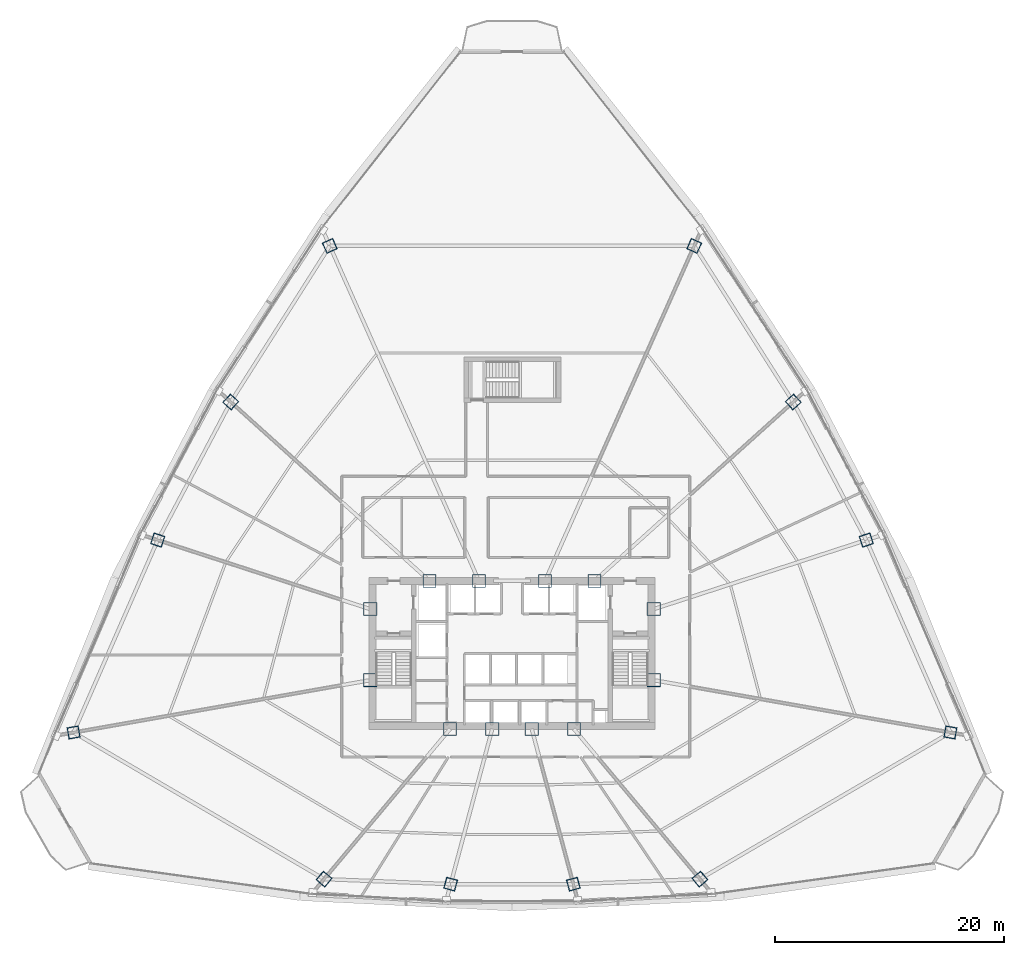
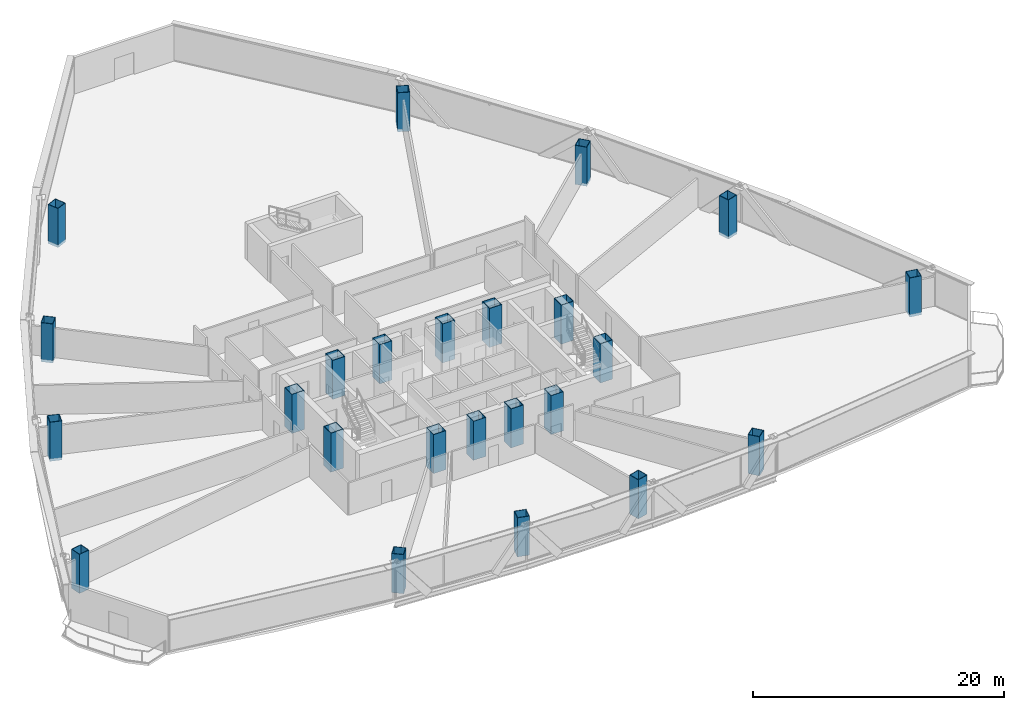
# One storey, part 1 of 36: 24 columns.
"""IFC4 building model written with IfcOpenShell, lengths in metres."""

from ifc_helpers import new_model, si_unit, direction, frame, origin, origin_2d, place, context, subcontext, project, spatial, hollow_rectangle, extrude, source, transform, mapped, material, material_profile, profile_set, type_object, element, save


model = new_model("IFC4")

# Units and contexts
model_context = context("Model", 3, precision=1e-05, world=origin(), true_north=direction((0.0, 1.0)))
body_context = subcontext(model_context, "Body", "Model", "MODEL_VIEW")
ifc_project = project(units=[si_unit("LENGTHUNIT", "METRE"), si_unit("AREAUNIT", "SQUARE_METRE"), si_unit("VOLUMEUNIT", "CUBIC_METRE"), si_unit("PLANEANGLEUNIT", "RADIAN"), si_unit("MASSUNIT", "GRAM", prefix="KILO"), si_unit("THERMODYNAMICTEMPERATUREUNIT", "KELVIN"), si_unit("POWERUNIT", "WATT")], contexts=[model_context])

# Site, building, storey
site_placement = place(None, origin())
site = spatial("IfcSite", under=ifc_project, at=site_placement, CompositionType="ELEMENT")
building_placement = place(site_placement, origin())
building = spatial("IfcBuilding", under=site, at=building_placement, Name="Yunzhuo Pagoda Commons", CompositionType="ELEMENT")
storey_placement = place(building_placement, frame((0.0, 0.0, 107.780029296875)))
storey = spatial("IfcBuildingStorey", under=building, at=storey_placement, Name="L27", CompositionType="ELEMENT", Elevation=107.780029296875)

# Columns
ifc_material = material(Name="Structural steel Q420B", Category="steel")
ifc_material_profile_1 = material_profile(ifc_material, hollow_rectangle(XDim=1.14990234375, YDim=1.14990234375, WallThickness=0.048095703125, at=origin_2d()), Name="Structural steel Q420B")
ifc_profile_set_1 = profile_set([ifc_material_profile_1], Name="Structural steel Q420B")
column_type_1 = type_object("IfcColumnType", Name="C-COR Column BOX 1150x1150x48", PredefinedType="COLUMN", material=ifc_profile_set_1)
shared_shape_1 = source(origin(), body_context, "Body", "SweptSolid", [
    extrude(hollow_rectangle(XDim=1.14990234375, YDim=1.14990234375, WallThickness=0.048095703125, at=origin_2d()), origin(), (0.0, 0.0, 1.0), 3.7998046875),
])
for number, where, z_axis, x_axis, name in (
    (1, (42.587890625, 27.25, -0.259765625), (0.0, 0.0, 1.0), (1.0, 0.0, 0.0), "L27 core composite column F1C1"),
    (2, (46.27197265625, 27.25, -0.259765625), (0.0, 0.0, 1.0), (1.0, 0.0, 0.0), "L27 core composite column F1C2"),
    (3, (49.728515625, 27.25, -0.259765625), (0.0, 0.0, 1.0), (1.0, 0.0, 0.0), "L27 core composite column F1C3"),
    (4, (53.412109375, 27.25, -0.259765625), (0.0, 0.0, 1.0), (1.0, 0.0, 0.0), "L27 core composite column F1C4"),
    (5, (60.39990234375, 31.513427734375, -0.259765625), (0.0, 0.0, 1.0), (1.0, 0.0, 0.0), "L27 core composite column F2C1"),
    (6, (60.39990234375, 37.72900390625, -0.259765625), (0.0, 0.0, 1.0), (1.0, 0.0, 0.0), "L27 core composite column F2C2"),
    (7, (55.218994140625, 40.199951171875, -0.259765625), (0.0, 0.0, 1.0), (1.0, 0.0, 0.0), "L27 core composite column F2C3"),
    (8, (50.89404296875, 40.199951171875, -0.259765625), (0.0, 0.0, 1.0), (1.0, 0.0, 0.0), "L27 core composite column F2C4"),
    (9, (45.10595703125, 40.199951171875, -0.259765625), (0.0, 0.0, 1.0), (1.0, 0.0, 0.0), "L27 core composite column F3C1"),
    (10, (40.781005859375, 40.199951171875, -0.259765625), (0.0, 0.0, 1.0), (1.0, 0.0, 0.0), "L27 core composite column F3C2"),
    (11, (35.60009765625, 37.72900390625, -0.259765625), (0.0, 0.0, 1.0), (1.0, 0.0, 0.0), "L27 core composite column F3C3"),
    (12, (35.60009765625, 31.513427734375, -0.259765625), (0.0, 0.0, 1.0), (1.0, 0.0, 0.0), "L27 core composite column F3C4"),
):
    element("IfcColumn", number, at=place(storey_placement, frame(where, z_axis=z_axis, x_axis=x_axis)), inside=storey, type_object=column_type_1, Name=name, PredefinedType="COLUMN", context=body_context, shape_type="MappedRepresentation", body=[
        mapped(shared_shape_1, transform((0.0, 0.0, 0.0), scale=1.0)),
    ])
ifc_material_profile_2 = material_profile(ifc_material, hollow_rectangle(XDim=1.0, YDim=1.0, WallThickness=0.0419921875, at=origin_2d()), Name="Structural steel Q420B")
ifc_profile_set_2 = profile_set([ifc_material_profile_2], Name="Structural steel Q420B")
column_type_2 = type_object("IfcColumnType", Name="C-Z2 Column BOX 1000x1000x42", PredefinedType="COLUMN", material=ifc_profile_set_2)
shared_shape_2 = source(origin(), body_context, "Body", "SweptSolid", [
    extrude(hollow_rectangle(XDim=1.0, YDim=1.0, WallThickness=0.0419921875, at=origin_2d()), origin(), (0.0, 0.0, 1.0), 3.7998046875),
])
for number, where, z_axis, x_axis, name in (
    (13, (31.56396484375, 14.1123046875, -0.259765625), (0.0, 0.0, 1.0), (0.766044443119, -0.642787609687, 0.0), "L27 tower column F1C1"),
    (14, (42.632568359375, 13.66845703125, -0.259765625), (0.0, 0.0, 1.0), (0.965925826289, -0.258819045103, 0.0), "L27 tower column F1C2"),
    (15, (53.367431640625, 13.66845703125, -0.259765625), (0.0, 0.0, 1.0), (0.965925826289, 0.258819045103, 0.0), "L27 tower column F1C3"),
    (16, (64.43603515625, 14.1123046875, -0.259765625), (0.0, 0.0, 1.0), (0.766044443119, 0.642787609687, 0.0), "L27 tower column F1C4"),
    (17, (86.352783203125, 26.9375, -0.259765625), (0.0, 0.0, 1.0), (0.173648177667, 0.984807753012, 0.0), "L27 tower column F2C1"),
    (18, (78.99072265625, 43.76953125, -0.259765625), (0.0, 0.0, 1.0), (-0.309016994375, 0.951056516295, 0.0), "L27 tower column F2C2"),
    (19, (72.602783203125, 55.852294921875, -0.259765625), (0.0, 0.0, 1.0), (-0.669130606359, 0.743144825477, 0.0), "L27 tower column F2C3"),
    (20, (63.94140625, 69.505126953125, -0.259765625), (0.0, 0.0, 1.0), (-0.913545457643, 0.406736643076, 0.0), "L27 tower column F2C4"),
    (21, (32.05859375, 69.505126953125, -0.259765625), (0.0, 0.0, 1.0), (-0.913545457643, -0.406736643076, 0.0), "L27 tower column F3C1"),
    (22, (23.397216796875, 55.852294921875, -0.259765625), (0.0, 0.0, 1.0), (-0.669130606359, -0.743144825477, 0.0), "L27 tower column F3C2"),
    (23, (17.00927734375, 43.76953125, -0.259765625), (0.0, 0.0, 1.0), (-0.309016994375, -0.951056516295, 0.0), "L27 tower column F3C3"),
    (24, (9.647216796875, 26.9375, -0.259765625), (0.0, 0.0, 1.0), (0.173648177667, -0.984807753012, 0.0), "L27 tower column F3C4"),
):
    element("IfcColumn", number, at=place(storey_placement, frame(where, z_axis=z_axis, x_axis=x_axis)), inside=storey, type_object=column_type_2, Name=name, PredefinedType="COLUMN", context=body_context, shape_type="MappedRepresentation", body=[
        mapped(shared_shape_2, transform((0.0, 0.0, 0.0), scale=1.0)),
    ])

save(model, "model.ifc")
